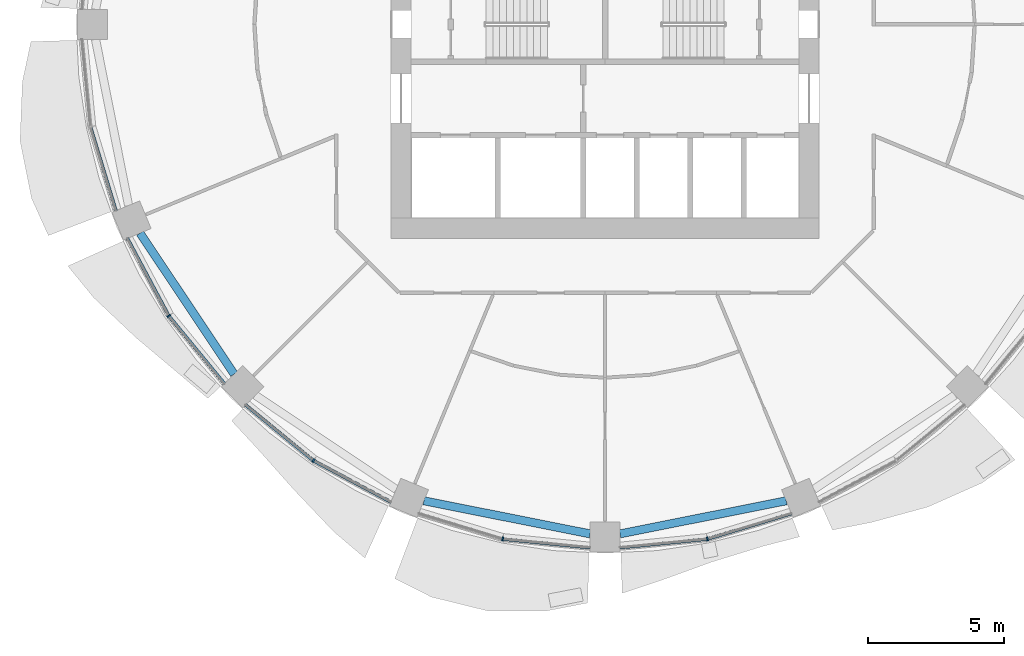
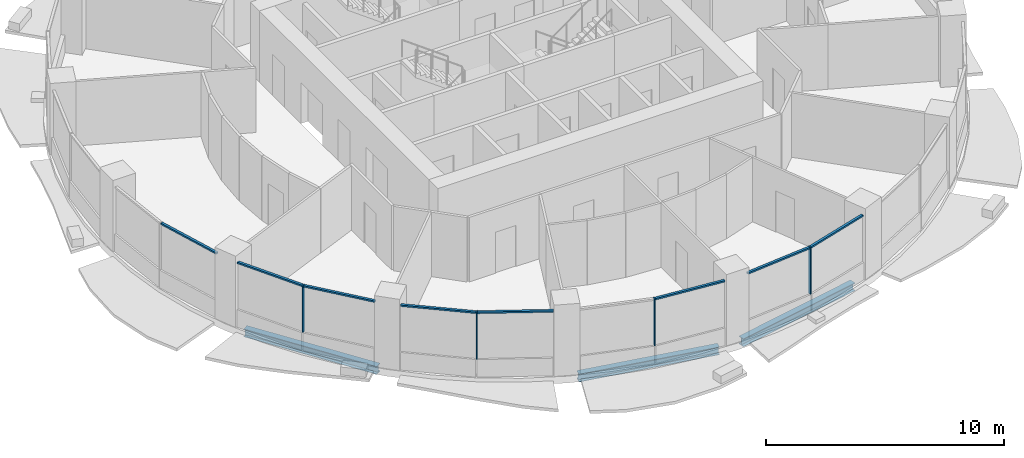
# One storey, part 2 of 15: 12 members, 3 beams, 5 elements without a shape of their own.
"""IFC4 building model written with IfcOpenShell, lengths in metres."""

from ifc_helpers import new_model, si_unit, direction, frame, origin, origin_2d, place, context, subcontext, project, spatial, rectangle, i_section, extrude, material, material_profile, profile_set, type_object, element, aggregate, save


model = new_model("IFC4")

# Units and contexts
model_context = context("Model", 3, precision=1e-05, world=origin(), true_north=direction((0.0, 1.0)))
body_context = subcontext(model_context, "Body", "Model", "MODEL_VIEW")
ifc_project = project(units=[si_unit("LENGTHUNIT", "METRE"), si_unit("AREAUNIT", "SQUARE_METRE"), si_unit("VOLUMEUNIT", "CUBIC_METRE"), si_unit("PLANEANGLEUNIT", "RADIAN"), si_unit("MASSUNIT", "GRAM", prefix="KILO")], contexts=[model_context])

# Site, building, storey
site_placement = place(None, origin())
site = spatial("IfcSite", under=ifc_project, at=site_placement, CompositionType="ELEMENT")
building_placement = place(site_placement, origin())
building = spatial("IfcBuilding", under=site, at=building_placement, Name="Polderwave Tower", CompositionType="ELEMENT")
storey_placement = place(building_placement, frame((0.0, 0.0, 72.75)))
storey = spatial("IfcBuildingStorey", under=building, at=storey_placement, Name="L18", CompositionType="ELEMENT", Elevation=72.75)

# Curtain wall, member
ifc_material_1 = material(Name="Aluminium 6063-T6 and glass", Category="aluminium")
curtain_wall_type = type_object("IfcCurtainWallType", Name="Growing floor ribbon glazing wall", PredefinedType="NOTDEFINED", material=ifc_material_1)
curtain_wall_1_placement = place(storey_placement, origin())
curtain_wall_1 = element("IfcCurtainWall", 1, at=curtain_wall_1_placement, inside=storey, type_object=curtain_wall_type, Name="CW2 L18 09", PredefinedType="NOTDEFINED")
ifc_material_2 = material(Name="Aluminium 6063-T6", Category="aluminium")
ifc_material_profile_1 = material_profile(ifc_material_2, rectangle(XDim=0.14990234375, YDim=0.06005859375, at=origin_2d()), Name="AL 60x150")
ifc_profile_set_1 = profile_set([ifc_material_profile_1], Name="Aluminium 6063-T6")
member_type_1 = type_object("IfcMemberType", Name="Growing floor ribbon glazing mullion 60x150", PredefinedType="MULLION", material=ifc_profile_set_1)
member_1_placement = place(storey_placement, frame((-16.0390625, -10.717041015625, 0.89990234375), z_axis=(0.0, 0.0, 1.0), x_axis=(0.831519061311, 0.555496220219, 0.0)))
member_1 = element("IfcMember", 2, at=member_1_placement, type_object=member_type_1, Name="CW2 mullion 1", PredefinedType="MULLION", context=body_context, shape_type="SweptSolid", body=[
    extrude(rectangle(XDim=0.14990234375, YDim=0.06005859375, at=origin_2d()), origin(), (0.0, 0.0, 1.0), 2.400146484375),
])

curtain_wall_2_placement = place(storey_placement, origin())
curtain_wall_2 = element("IfcCurtainWall", 3, at=curtain_wall_2_placement, inside=storey, type_object=curtain_wall_type, Name="CW2 L18 10", PredefinedType="NOTDEFINED")
member_2_placement = place(storey_placement, frame((-10.717041015625, -16.0390625, 0.89990234375), z_axis=(0.0, 0.0, 1.0), x_axis=(0.555496220219, 0.831519061311, 0.0)))
member_2 = element("IfcMember", 4, at=member_2_placement, type_object=member_type_1, Name="CW2 mullion 1", PredefinedType="MULLION", context=body_context, shape_type="SweptSolid", body=[
    extrude(rectangle(XDim=0.14990234375, YDim=0.06005859375, at=origin_2d()), origin(), (0.0, 0.0, 1.0), 2.400146484375),
])

curtain_wall_3_placement = place(storey_placement, origin())
curtain_wall_3 = element("IfcCurtainWall", 5, at=curtain_wall_3_placement, inside=storey, type_object=curtain_wall_type, Name="CW2 L18 11", PredefinedType="NOTDEFINED")
member_3_placement = place(storey_placement, frame((-3.762939453125, -18.9189453125, 0.89990234375), z_axis=(0.0, 0.0, 1.0), x_axis=(0.19512284598, 0.980778810424, 0.0)))
member_3 = element("IfcMember", 6, at=member_3_placement, type_object=member_type_1, Name="CW2 mullion 1", PredefinedType="MULLION", context=body_context, shape_type="SweptSolid", body=[
    extrude(rectangle(XDim=0.14990234375, YDim=0.06005859375, at=origin_2d()), origin(), (0.0, 0.0, 1.0), 2.400146484375),
])

curtain_wall_4_placement = place(storey_placement, origin())
curtain_wall_4 = element("IfcCurtainWall", 7, at=curtain_wall_4_placement, inside=storey, type_object=curtain_wall_type, Name="CW2 L18 12", PredefinedType="NOTDEFINED")
member_4_placement = place(storey_placement, frame((3.762939453125, -18.9189453125, 0.89990234375), z_axis=(0.0, 0.0, 1.0), x_axis=(-0.19512284598, 0.980778810424, 0.0)))
member_4 = element("IfcMember", 8, at=member_4_placement, type_object=member_type_1, Name="CW2 mullion 1", PredefinedType="MULLION", context=body_context, shape_type="SweptSolid", body=[
    extrude(rectangle(XDim=0.14990234375, YDim=0.06005859375, at=origin_2d()), origin(), (0.0, 0.0, 1.0), 2.400146484375),
])

curtain_wall_5_placement = place(storey_placement, origin())
curtain_wall_5 = element("IfcCurtainWall", 9, at=curtain_wall_5_placement, inside=storey, type_object=curtain_wall_type, Name="CW2 L18 08", PredefinedType="NOTDEFINED")
ifc_material_profile_2 = material_profile(ifc_material_2, rectangle(XDim=0.1201171875, YDim=0.080078125, at=origin_2d()), Name="AL 80x120")
ifc_profile_set_2 = profile_set([ifc_material_profile_2], Name="Aluminium 6063-T6")
member_type_2 = type_object("IfcMemberType", Name="Growing floor ribbon glazing transom 80x120", PredefinedType="USERDEFINED", material=ifc_profile_set_2)
member_5_placement = place(storey_placement, frame((-18.910400390625, -3.791748046875, 3.260009765625), z_axis=(0.290238267171, -0.956954412848, 0.0), x_axis=(0.956954412848, 0.290238267171, 0.0)))
member_5 = element("IfcMember", 10, at=member_5_placement, type_object=member_type_2, Name="CW2 transom 2", ObjectType="TRANSOM", PredefinedType="USERDEFINED", context=body_context, shape_type="SweptSolid", body=[
    extrude(rectangle(XDim=0.1201171875, YDim=0.080078125, at=origin_2d()), origin(), (0.0, 0.0, 1.0), 3.198974609375),
])
aggregate(curtain_wall_5, [member_5])

# Member
member_6_placement = place(storey_placement, frame((-17.56103515625, -7.868896484375, 3.260009765625), z_axis=(0.471376247819, -0.881932215645, 0.0), x_axis=(0.881932215645, 0.471376247819, 0.0)))
member_6 = element("IfcMember", 11, at=member_6_placement, type_object=member_type_2, Name="CW2 transom 1", ObjectType="TRANSOM", PredefinedType="USERDEFINED", context=body_context, shape_type="SweptSolid", body=[
    extrude(rectangle(XDim=0.1201171875, YDim=0.080078125, at=origin_2d()), origin(), (0.0, 0.0, 1.0), 3.19921875),
])

member_7_placement = place(storey_placement, frame((-16.02001953125, -10.740234375, 3.260009765625), z_axis=(0.634355209348, -0.773041698987, 0.0), x_axis=(0.773041698987, 0.634355209348, 0.0)))
member_7 = element("IfcMember", 12, at=member_7_placement, type_object=member_type_2, Name="CW2 transom 2", ObjectType="TRANSOM", PredefinedType="USERDEFINED", context=body_context, shape_type="SweptSolid", body=[
    extrude(rectangle(XDim=0.1201171875, YDim=0.080078125, at=origin_2d()), origin(), (0.0, 0.0, 1.0), 3.198486328125),
])

aggregate(curtain_wall_1, [member_1, member_6, member_7])

member_8_placement = place(storey_placement, frame((-13.212890625, -13.990966796875, 3.260009765625), z_axis=(0.773041698987, -0.634355209348, 0.0), x_axis=(0.634355209348, 0.773041698987, 0.0)))
member_8 = element("IfcMember", 13, at=member_8_placement, type_object=member_type_2, Name="CW2 transom 1", ObjectType="TRANSOM", PredefinedType="USERDEFINED", context=body_context, shape_type="SweptSolid", body=[
    extrude(rectangle(XDim=0.1201171875, YDim=0.080078125, at=origin_2d()), origin(), (0.0, 0.0, 1.0), 3.198486328125),
])

member_9_placement = place(storey_placement, frame((-10.6904296875, -16.052978515625, 3.260009765625), z_axis=(0.881932215645, -0.471376247819, 0.0), x_axis=(0.471376247819, 0.881932215645, 0.0)))
member_9 = element("IfcMember", 14, at=member_9_placement, type_object=member_type_2, Name="CW2 transom 2", ObjectType="TRANSOM", PredefinedType="USERDEFINED", context=body_context, shape_type="SweptSolid", body=[
    extrude(rectangle(XDim=0.1201171875, YDim=0.080078125, at=origin_2d()), origin(), (0.0, 0.0, 1.0), 3.19921875),
])

aggregate(curtain_wall_2, [member_2, member_8, member_9])

member_10_placement = place(storey_placement, frame((-3.733154296875, -18.921875, 3.260009765625), z_axis=(0.995163341514, -0.098234025198, 0.0), x_axis=(0.098234025198, 0.995163341514, 0.0)))
member_10 = element("IfcMember", 15, at=member_10_placement, type_object=member_type_2, Name="CW2 transom 2", ObjectType="TRANSOM", PredefinedType="USERDEFINED", context=body_context, shape_type="SweptSolid", body=[
    extrude(rectangle(XDim=0.1201171875, YDim=0.080078125, at=origin_2d()), origin(), (0.0, 0.0, 1.0), 3.198486328125),
])

aggregate(curtain_wall_3, [member_3, member_10])

member_11_placement = place(storey_placement, frame((0.550048828125, -19.236083984375, 3.260009765625), z_axis=(0.995163341514, 0.098234025198, 0.0), x_axis=(-0.098234025198, 0.995163341514, 0.0)))
member_11 = element("IfcMember", 16, at=member_11_placement, type_object=member_type_2, Name="CW2 transom 1", ObjectType="TRANSOM", PredefinedType="USERDEFINED", context=body_context, shape_type="SweptSolid", body=[
    extrude(rectangle(XDim=0.1201171875, YDim=0.080078125, at=origin_2d()), origin(), (0.0, 0.0, 1.0), 3.198486328125),
])

member_12_placement = place(storey_placement, frame((3.791748046875, -18.910400390625, 3.260009765625), z_axis=(0.956954412848, 0.290238267171, 0.0), x_axis=(-0.290238267171, 0.956954412848, 0.0)))
member_12 = element("IfcMember", 17, at=member_12_placement, type_object=member_type_2, Name="CW2 transom 2", ObjectType="TRANSOM", PredefinedType="USERDEFINED", context=body_context, shape_type="SweptSolid", body=[
    extrude(rectangle(XDim=0.1201171875, YDim=0.080078125, at=origin_2d()), origin(), (0.0, 0.0, 1.0), 3.198974609375),
])

aggregate(curtain_wall_4, [member_4, member_11, member_12])

# Beams
ifc_material_3 = material(Name="Steel S355", Category="steel")
ifc_material_profile_3 = material_profile(ifc_material_3, i_section(OverallWidth=0.300048828125, OverallDepth=0.39990234375, WebThickness=0.013427734375, FlangeThickness=0.02392578125, at=origin_2d()), Name="HE 400 B")
ifc_profile_set_3 = profile_set([ifc_material_profile_3], Name="Steel S355")
beam_type = type_object("IfcBeamType", Name="RING BEAM HE 400 B", PredefinedType="BEAM", material=ifc_profile_set_3)
beam_placement = place(storey_placement, frame((-17.09423828125, -7.676025390625, -0.550048828125), z_axis=(0.555541024975, -0.831489127752, 0.0), x_axis=(0.831489127752, 0.555541024975, 0.0)))
element("IfcBeam", 18, at=beam_placement, inside=storey, type_object=beam_type, Name="ST-RB-L18-09", PredefinedType="BEAM", context=body_context, shape_type="SweptSolid", body=[
    extrude(i_section(OverallWidth=0.300048828125, OverallDepth=0.39990234375, WebThickness=0.013427734375, FlangeThickness=0.02392578125, at=origin_2d()), origin(), (0.0, 0.0, 1.0), 6.2294921875),
])
for number, where, z_axis, x_axis, name in (
    (19, (-6.65966796875, -17.515380859375, -0.550048828125), (0.980783645519, -0.195098540955, 0.0), (0.195098540955, 0.980783645519, 0.0), "ST-RB-L18-11"),
    (20, (0.550048828125, -18.730712890625, -0.550048828125), (0.980783645519, 0.195098540955, 0.0), (-0.195098540955, 0.980783645519, 0.0), "ST-RB-L18-12"),
):
    element("IfcBeam", number, at=place(storey_placement, frame(where, z_axis=z_axis, x_axis=x_axis)), inside=storey, type_object=beam_type, Name=name, PredefinedType="BEAM", context=body_context, shape_type="SweptSolid", body=[
        extrude(i_section(OverallWidth=0.300048828125, OverallDepth=0.39990234375, WebThickness=0.013427734375, FlangeThickness=0.02392578125, at=origin_2d()), origin(), (0.0, 0.0, 1.0), 6.229248046875),
    ])

save(model, "model.ifc")
